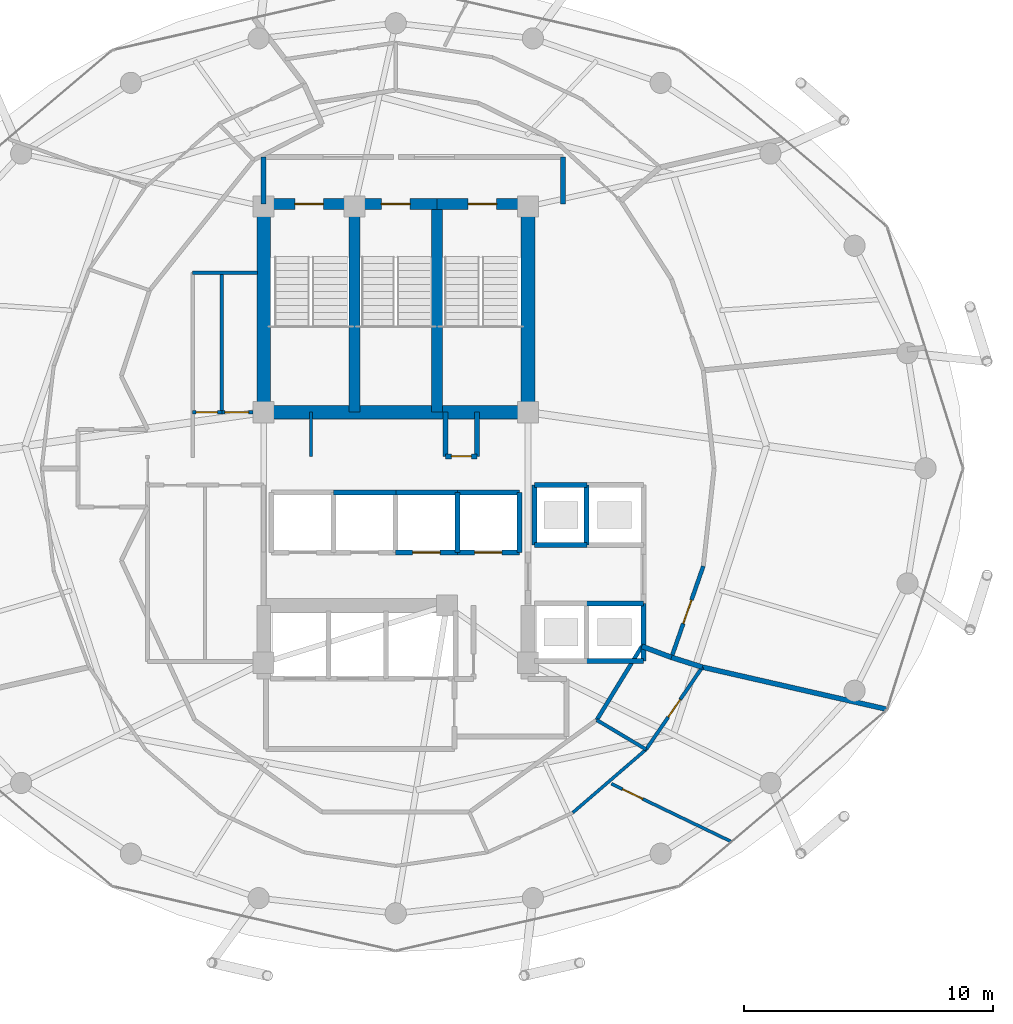
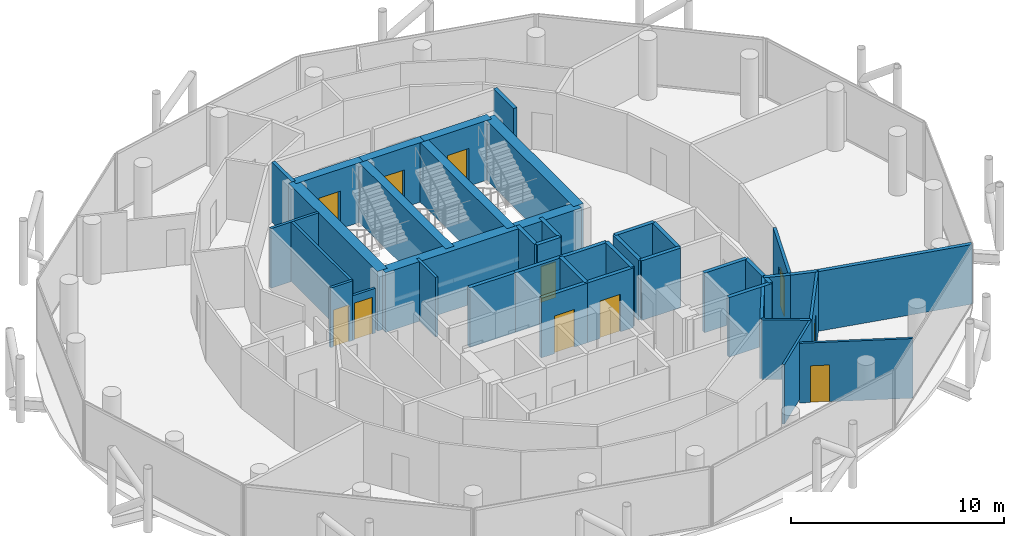
# One storey, part 24 of 27: 41 walls, 11 doors, 11 openings.
"""IFC4 building model written with IfcOpenShell, lengths in metres."""

from ifc_helpers import new_model, si_unit, direction, frame, frame_2d, origin, place, context, subcontext, project, spatial, rectangle, extrude, material, layer, layer_set, type_object, element, fill, save


model = new_model("IFC4")

# Units and contexts
model_context = context("Model", 3, precision=1e-05, world=origin(), true_north=direction((0.0, 1.0)))
body_context = subcontext(model_context, "Body", "Model", "MODEL_VIEW")
ifc_project = project(units=[si_unit("LENGTHUNIT", "METRE"), si_unit("AREAUNIT", "SQUARE_METRE"), si_unit("VOLUMEUNIT", "CUBIC_METRE"), si_unit("PLANEANGLEUNIT", "RADIAN"), si_unit("MASSUNIT", "GRAM", prefix="KILO")], contexts=[model_context])

# Site, building, storey
site_placement = place(None, origin())
site = spatial("IfcSite", under=ifc_project, at=site_placement, CompositionType="ELEMENT")
building_placement = place(site_placement, origin())
building = spatial("IfcBuilding", under=site, at=building_placement, Name="Nuhasar Tower", CompositionType="ELEMENT")
storey_placement = place(building_placement, frame((0.0, 0.0, 208.14990234375)))
storey = spatial("IfcBuildingStorey", under=building, at=storey_placement, Name="L50", CompositionType="ELEMENT", Elevation=208.14990234375)

# Wall, opening, door
ifc_material_1 = material(Name="Concrete C50/60", Category="concrete")
ifc_layer_1 = layer(ifc_material_1, 0.449951171875)
ifc_layer_set_1 = layer_set([ifc_layer_1], Name="Concrete C50/60")
wall_type_1 = type_object("IfcWallType", Name="WL-CORE-450", PredefinedType="SHEAR", material=ifc_layer_set_1)
wall_1_placement = place(storey_placement, frame((37.35009765625, 37.39990234375, 0.0), z_axis=(0.0, 0.0, 1.0), x_axis=(-1.0, 0.0, 0.0)))
wall_1 = element("IfcWall", 1, at=wall_1_placement, inside=storey, type_object=wall_type_1, Name="L50 Stairwell Shear Wall ST01-N", PredefinedType="SHEAR", context=body_context, shape_type="SweptSolid", body=[
    extrude(rectangle(XDim=3.650146484375, YDim=0.449951171875, at=frame_2d((1.8251953125, 0.0))), origin(), (0.0, 0.0, 1.0), 3.41015625),
])
opening_1_placement = place(wall_1_placement, frame((1.25, 0.0, 0.0)))
opening_1 = element("IfcOpeningElement", 2, at=opening_1_placement, cuts=wall_1, Name="Opening DS-01", PredefinedType="OPENING", context=body_context, shape_type="SweptSolid", body=[
    extrude(rectangle(XDim=1.14990234375, YDim=2.14990234375, at=frame_2d((0.574951171875, 1.074951171875))), frame((0.0, 0.23486328125, 0.0), z_axis=(0.0, -1.0, 0.0), x_axis=(1.0, 0.0, 0.0)), (0.0, 0.0, 1.0), 0.469970703125),
])
ifc_material_2 = material(Name="Steel S355", Category="steel")
door_type_1 = type_object("IfcDoorType", Name="DR-STAIR-FD120-1150", OperationType="NOTDEFINED", PredefinedType="DOOR", material=ifc_material_2)
door_1_placement = place(opening_1_placement, origin())
door_1 = element("IfcDoor", 3, at=door_1_placement, inside=storey, type_object=door_type_1, Name="L50 Exit Stair ST-01 Door", OperationType="SINGLE_SWING_RIGHT", OverallHeight=2.14990234375, OverallWidth=1.14990234375, PredefinedType="DOOR", context=body_context, shape_type="SweptSolid", body=[
    extrude(rectangle(XDim=1.14990234375, YDim=2.14990234375, at=frame_2d((0.574951171875, 1.074951171875))), frame((0.0, 0.02490234375, 0.0), z_axis=(0.0, -1.0, 0.0), x_axis=(1.0, 0.0, 0.0)), (0.0, 0.0, 1.0), 0.050048828125),
])
fill(opening_1, door_1)

# Wall
wall_2_placement = place(storey_placement, frame((37.35009765625, 29.050048828125, 0.0), z_axis=(0.0, 0.0, 1.0), x_axis=(0.0, 1.0, 0.0)))
element("IfcWall", 4, at=wall_2_placement, inside=storey, type_object=wall_type_1, Name="L50 Stairwell Shear Wall ST01-E", PredefinedType="SHEAR", context=body_context, shape_type="SweptSolid", body=[
    extrude(rectangle(XDim=8.349853515625, YDim=0.449951171875, at=frame_2d((4.1748046875, 0.0))), origin(), (0.0, 0.0, 1.0), 3.41015625),
])

# Wall, opening, door
wall_3_placement = place(storey_placement, frame((40.64990234375, 37.39990234375, 0.0), z_axis=(0.0, 0.0, 1.0), x_axis=(-1.0, 0.0, 0.0)))
wall_3 = element("IfcWall", 5, at=wall_3_placement, inside=storey, type_object=wall_type_1, Name="L50 Stairwell Shear Wall ST03-N", PredefinedType="SHEAR", context=body_context, shape_type="SweptSolid", body=[
    extrude(rectangle(XDim=3.2998046875, YDim=0.449951171875, at=frame_2d((1.64990234375, 0.0))), origin(), (0.0, 0.0, 1.0), 3.41015625),
])
opening_2_placement = place(wall_3_placement, frame((1.074951171875, 0.0, 0.0)))
opening_2 = element("IfcOpeningElement", 6, at=opening_2_placement, cuts=wall_3, Name="Opening DS-01", PredefinedType="OPENING", context=body_context, shape_type="SweptSolid", body=[
    extrude(rectangle(XDim=1.14990234375, YDim=2.14990234375, at=frame_2d((0.574951171875, 1.074951171875))), frame((0.0, 0.23486328125, 0.0), z_axis=(0.0, -1.0, 0.0), x_axis=(1.0, 0.0, 0.0)), (0.0, 0.0, 1.0), 0.469970703125),
])
door_2_placement = place(opening_2_placement, origin())
door_2 = element("IfcDoor", 7, at=door_2_placement, inside=storey, type_object=door_type_1, Name="L50 Exit Stair ST-03 Door", OperationType="SINGLE_SWING_RIGHT", OverallHeight=2.14990234375, OverallWidth=1.14990234375, PredefinedType="DOOR", context=body_context, shape_type="SweptSolid", body=[
    extrude(rectangle(XDim=1.14990234375, YDim=2.14990234375, at=frame_2d((0.574951171875, 1.074951171875))), frame((0.0, 0.02490234375, 0.0), z_axis=(0.0, -1.0, 0.0), x_axis=(1.0, 0.0, 0.0)), (0.0, 0.0, 1.0), 0.050048828125),
])
fill(opening_2, door_2)

# Wall
wall_4_placement = place(storey_placement, frame((40.64990234375, 29.050048828125, 0.0), z_axis=(0.0, 0.0, 1.0), x_axis=(0.0, 1.0, 0.0)))
element("IfcWall", 8, at=wall_4_placement, inside=storey, type_object=wall_type_1, Name="L50 Stairwell Shear Wall ST03-E", PredefinedType="SHEAR", context=body_context, shape_type="SweptSolid", body=[
    extrude(rectangle(XDim=8.349853515625, YDim=0.449951171875, at=frame_2d((4.1748046875, 0.0))), origin(), (0.0, 0.0, 1.0), 3.41015625),
])

# Wall, opening, door
wall_5_placement = place(storey_placement, frame((44.300048828125, 37.39990234375, 0.0), z_axis=(0.0, 0.0, 1.0), x_axis=(-1.0, 0.0, 0.0)))
wall_5 = element("IfcWall", 9, at=wall_5_placement, inside=storey, type_object=wall_type_1, Name="L50 Stairwell Shear Wall ST02-N", PredefinedType="SHEAR", context=body_context, shape_type="SweptSolid", body=[
    extrude(rectangle(XDim=3.650146484375, YDim=0.449951171875, at=frame_2d((1.8251953125, 0.0))), origin(), (0.0, 0.0, 1.0), 3.41015625),
])
opening_3_placement = place(wall_5_placement, frame((1.25, 0.0, 0.0)))
opening_3 = element("IfcOpeningElement", 10, at=opening_3_placement, cuts=wall_5, Name="Opening DS-01", PredefinedType="OPENING", context=body_context, shape_type="SweptSolid", body=[
    extrude(rectangle(XDim=1.14990234375, YDim=2.14990234375, at=frame_2d((0.574951171875, 1.074951171875))), frame((0.0, 0.23486328125, 0.0), z_axis=(0.0, -1.0, 0.0), x_axis=(1.0, 0.0, 0.0)), (0.0, 0.0, 1.0), 0.469970703125),
])
door_3_placement = place(opening_3_placement, origin())
door_3 = element("IfcDoor", 11, at=door_3_placement, inside=storey, type_object=door_type_1, Name="L50 Exit Stair ST-02 Door", OperationType="SINGLE_SWING_LEFT", OverallHeight=2.14990234375, OverallWidth=1.14990234375, PredefinedType="DOOR", context=body_context, shape_type="SweptSolid", body=[
    extrude(rectangle(XDim=1.14990234375, YDim=2.14990234375, at=frame_2d((0.574951171875, 1.074951171875))), frame((0.0, 0.02490234375, 0.0), z_axis=(0.0, -1.0, 0.0), x_axis=(1.0, 0.0, 0.0)), (0.0, 0.0, 1.0), 0.050048828125),
])
fill(opening_3, door_3)

# Walls
ifc_material_3 = material(Name="Concrete C55/67", Category="concrete")
ifc_layer_2 = layer(ifc_material_3, 0.550048828125)
ifc_layer_set_2 = layer_set([ifc_layer_2], Name="Concrete C55/67")
wall_type_2 = type_object("IfcWallType", Name="WL-CORE-550", PredefinedType="SHEAR", material=ifc_layer_set_2)
for number, where, z_axis, x_axis, name in (
    (12, (33.699951171875, 29.050048828125, 0.0), (0.0, 0.0, 1.0), (0.0, 1.0, 0.0), "L50 Core Shear Wall CW-NW CW-550"),
    (13, (44.300048828125, 29.050048828125, 0.0), (0.0, 0.0, 1.0), (0.0, 1.0, 0.0), "L50 Core Shear Wall CW-NE CW-550"),
):
    element("IfcWall", number, at=place(storey_placement, frame(where, z_axis=z_axis, x_axis=x_axis)), inside=storey, type_object=wall_type_2, Name=name, PredefinedType="SHEAR", context=body_context, shape_type="SweptSolid", body=[
        extrude(rectangle(XDim=8.349853515625, YDim=0.550048828125, at=frame_2d((4.1748046875, 0.0))), origin(), (0.0, 0.0, 1.0), 3.41015625),
    ])
wall_6_placement = place(storey_placement, frame((33.699951171875, 29.050048828125, 0.0), z_axis=(0.0, 0.0, 1.0), x_axis=(1.0, 0.0, 0.0)))
element("IfcWall", 14, at=wall_6_placement, inside=storey, type_object=wall_type_2, Name="L50 Core Shear Wall CW-N1 CW-550", PredefinedType="SHEAR", context=body_context, shape_type="SweptSolid", body=[
    extrude(rectangle(XDim=10.60009765625, YDim=0.550048828125, at=frame_2d((5.300048828125, 0.0))), origin(), (0.0, 0.0, 1.0), 3.41015625),
])

# Wall, opening, door
ifc_material_4 = material(Name="Gypsum Board", Category="gypsum")
ifc_layer_3 = layer(ifc_material_4, 0.159912109375)
ifc_layer_set_3 = layer_set([ifc_layer_3], Name="Gypsum Board")
wall_type_3 = type_object("IfcWallType", Name="WL-CORR-160", PredefinedType="PARTITIONING", material=ifc_layer_set_3)
wall_7_placement = place(storey_placement, frame((51.3349609375, 22.8740234375, 0.0), z_axis=(0.0, 0.0, 1.0), x_axis=(-0.32925850992, -0.944239817867, 0.0)))
wall_7 = element("IfcWall", 15, at=wall_7_placement, inside=storey, type_object=wall_type_3, Name="L50 Interior Partition CORR-44", PredefinedType="PARTITIONING", context=body_context, shape_type="SweptSolid", body=[
    extrude(rectangle(XDim=3.875, YDim=0.159912109375, at=frame_2d((1.9375, 0.0))), origin(), (0.0, 0.0, 1.0), 3.41015625),
])
opening_4_placement = place(wall_7_placement, frame((1.43798828125, 0.0, 0.0)))
opening_4 = element("IfcOpeningElement", 16, at=opening_4_placement, cuts=wall_7, Name="Opening DU-02", PredefinedType="OPENING", context=body_context, shape_type="SweptSolid", body=[
    extrude(rectangle(XDim=1.0, YDim=2.14990234375, at=frame_2d((0.5, 1.074951171875))), frame((0.0, 0.08984375, 0.0), z_axis=(0.0, -1.0, 0.0), x_axis=(1.0, 0.0, 0.0)), (0.0, 0.0, 1.0), 0.179931640625),
])
ifc_material_5 = material(Name="Timber Oak", Category="wood")
door_type_2 = type_object("IfcDoorType", Name="DR-FLAT-FD60-1000", OperationType="NOTDEFINED", PredefinedType="DOOR", material=ifc_material_5)
door_4_placement = place(opening_4_placement, origin())
door_4 = element("IfcDoor", 17, at=door_4_placement, inside=storey, type_object=door_type_2, Name="L50 Sky Fitness Gym Entrance Door", OperationType="SINGLE_SWING_LEFT", OverallHeight=2.14990234375, OverallWidth=1.0, PredefinedType="DOOR", context=body_context, shape_type="SweptSolid", body=[
    extrude(rectangle(XDim=1.0, YDim=2.14990234375, at=frame_2d((0.5, 1.074951171875))), frame((0.0, 0.02490234375, 0.0), z_axis=(0.0, -1.0, 0.0), x_axis=(1.0, 0.0, 0.0)), (0.0, 0.0, 1.0), 0.050048828125),
])
fill(opening_4, door_4)

# Walls
wall_8_placement = place(storey_placement, frame((47.06103515625, 16.702880859375, 0.0), z_axis=(0.0, 0.0, 1.0), x_axis=(0.522486120877, 0.852647789823, 0.0)))
element("IfcWall", 18, at=wall_8_placement, inside=storey, type_object=wall_type_3, Name="L50 Interior Partition UWEST-CORE-S2-42", PredefinedType="PARTITIONING", context=body_context, shape_type="SweptSolid", body=[
    extrude(rectangle(XDim=3.468017578125, YDim=0.159912109375, at=frame_2d((1.73388671875, 0.0))), origin(), (0.0, 0.0, 1.0), 3.41015625),
])
ifc_material_6 = material(Name="Concrete C45/55", Category="concrete")
ifc_layer_4 = layer(ifc_material_6, 0.199951171875)
ifc_layer_set_4 = layer_set([ifc_layer_4], Name="Concrete C45/55")
wall_type_4 = type_object("IfcWallType", Name="WL-LOBBY-200", PredefinedType="SOLIDWALL", material=ifc_layer_set_4)
for number, where, z_axis, x_axis, name in (
    (19, (33.699951171875, 37.39990234375, 0.0), (0.0, 0.0, 1.0), (0.0, 1.0, 0.0), "L50 Interior Partition NSL-W"),
    (20, (45.699951171875, 37.39990234375, 0.0), (0.0, 0.0, 1.0), (0.0, 1.0, 0.0), "L50 Interior Partition NSL-E"),
):
    element("IfcWall", number, at=place(storey_placement, frame(where, z_axis=z_axis, x_axis=x_axis)), inside=storey, type_object=wall_type_4, Name=name, PredefinedType="SOLIDWALL", context=body_context, shape_type="SweptSolid", body=[
        extrude(rectangle(XDim=1.880126953125, YDim=0.199951171875, at=frame_2d((0.93994140625, 0.0))), origin(), (0.0, 0.0, 1.0), 3.41015625),
    ])
ifc_layer_5 = layer(ifc_material_4, 0.125)
ifc_layer_set_5 = layer_set([ifc_layer_5], Name="Gypsum Board")
wall_type_5 = type_object("IfcWallType", Name="WL-PART-125", PredefinedType="PARTITIONING", material=ifc_layer_set_5)
wall_9_placement = place(storey_placement, frame((46.10009765625, 12.987060546875, 0.0), z_axis=(0.0, 0.0, 1.0), x_axis=(0.757456069071, 0.652886133585, 0.0)))
element("IfcWall", 21, at=wall_9_placement, inside=storey, type_object=wall_type_5, Name="L50 Interior Partition USM-2-K-40", PredefinedType="PARTITIONING", context=body_context, shape_type="SweptSolid", body=[
    extrude(rectangle(XDim=3.882568359375, YDim=0.125, at=frame_2d((1.94140625, 0.0))), origin(), (0.0, 0.0, 1.0), 3.41015625),
])

# Wall, opening, door
wall_10_placement = place(storey_placement, frame((47.64404296875, 14.14599609375, 0.0), z_axis=(0.0, 0.0, 1.0), x_axis=(0.900716165112, -0.434408091437, 0.0)))
wall_10 = element("IfcWall", 22, at=wall_10_placement, inside=storey, type_object=wall_type_5, Name="L50 Interior Partition USO-2-BD", PredefinedType="PARTITIONING", context=body_context, shape_type="SweptSolid", body=[
    extrude(rectangle(XDim=5.32666015625, YDim=0.125, at=frame_2d((2.663330078125, 0.0))), origin(), (0.0, 0.0, 1.0), 3.41015625),
])
opening_5_placement = place(wall_10_placement, frame((0.501953125, 0.0, 0.0)))
opening_5 = element("IfcOpeningElement", 23, at=opening_5_placement, cuts=wall_10, Name="Opening DR-01", PredefinedType="OPENING", context=body_context, shape_type="SweptSolid", body=[
    extrude(rectangle(XDim=0.89990234375, YDim=2.10009765625, at=frame_2d((0.449951171875, 1.050048828125))), frame((0.0, 0.072509765625, 0.0), z_axis=(0.0, -1.0, 0.0), x_axis=(1.0, 0.0, 0.0)), (0.0, 0.0, 1.0), 0.14501953125),
])
door_type_3 = type_object("IfcDoorType", Name="DR-ROOM-900", OperationType="NOTDEFINED", PredefinedType="DOOR", material=ifc_material_5)
door_5_placement = place(opening_5_placement, origin())
door_5 = element("IfcDoor", 24, at=door_5_placement, inside=storey, type_object=door_type_3, Name="L50 South-West Sky Home Master Bedroom Door", OperationType="SINGLE_SWING_LEFT", OverallHeight=2.10009765625, OverallWidth=0.89990234375, PredefinedType="DOOR", context=body_context, shape_type="SweptSolid", body=[
    extrude(rectangle(XDim=0.89990234375, YDim=2.10009765625, at=frame_2d((0.449951171875, 1.050048828125))), frame((0.0, 0.02490234375, 0.0), z_axis=(0.0, -1.0, 0.0), x_axis=(1.0, 0.0, 0.0)), (0.0, 0.0, 1.0), 0.050048828125),
])
fill(opening_5, door_5)

# Walls
ifc_layer_6 = layer(ifc_material_6, 0.199951171875)
ifc_layer_set_6 = layer_set([ifc_layer_6], Name="Concrete C45/55")
wall_type_6 = type_object("IfcWallType", Name="WL-SHAFT-200", PredefinedType="SOLIDWALL", material=ifc_layer_set_6)
for number, where, z_axis, x_axis, name in (
    (25, (41.0, 27.280029296875, 0.0), (0.0, 0.0, 1.0), (0.0, 1.0, 0.0), "L50 Interior Partition RSRN-W"),
    (26, (42.260009765625, 27.280029296875, 0.0), (0.0, 0.0, 1.0), (0.0, 1.0, 0.0), "L50 Interior Partition RSRN-E"),
):
    element("IfcWall", number, at=place(storey_placement, frame(where, z_axis=z_axis, x_axis=x_axis)), inside=storey, type_object=wall_type_6, Name=name, PredefinedType="SOLIDWALL", context=body_context, shape_type="SweptSolid", body=[
        extrude(rectangle(XDim=1.77001953125, YDim=0.199951171875, at=frame_2d((0.885009765625, 0.0))), origin(), (0.0, 0.0, 1.0), 3.41015625),
    ])

# Wall, opening, door
wall_11_placement = place(storey_placement, frame((41.0, 27.280029296875, 0.0), z_axis=(0.0, 0.0, 1.0), x_axis=(1.0, 0.0, 0.0)))
wall_11 = element("IfcWall", 27, at=wall_11_placement, inside=storey, type_object=wall_type_6, Name="L50 Interior Partition RSRN-S", PredefinedType="SOLIDWALL", context=body_context, shape_type="SweptSolid", body=[
    extrude(rectangle(XDim=1.260009765625, YDim=0.199951171875, at=frame_2d((0.6298828125, 0.0))), origin(), (0.0, 0.0, 1.0), 3.41015625),
])
opening_6_placement = place(wall_11_placement, frame((0.22998046875, 0.0, 0.0)))
opening_6 = element("IfcOpeningElement", 28, at=opening_6_placement, cuts=wall_11, Name="Opening DM-01", PredefinedType="OPENING", context=body_context, shape_type="SweptSolid", body=[
    extrude(rectangle(XDim=0.800048828125, YDim=2.050048828125, at=frame_2d((0.39990234375, 1.02490234375))), frame((0.0, 0.10986328125, 0.0), z_axis=(0.0, -1.0, 0.0), x_axis=(1.0, 0.0, 0.0)), (0.0, 0.0, 1.0), 0.219970703125),
])
door_type_4 = type_object("IfcDoorType", Name="DR-RISER-FD60-800", OperationType="NOTDEFINED", PredefinedType="DOOR", material=ifc_material_2)
door_6_placement = place(opening_6_placement, origin())
door_6 = element("IfcDoor", 29, at=door_6_placement, inside=storey, type_object=door_type_4, Name="L50 North Smoke Riser Door", OperationType="SINGLE_SWING_RIGHT", OverallHeight=2.050048828125, OverallWidth=0.800048828125, PredefinedType="DOOR", context=body_context, shape_type="SweptSolid", body=[
    extrude(rectangle(XDim=0.800048828125, YDim=2.050048828125, at=frame_2d((0.39990234375, 1.02490234375))), frame((0.0, 0.02490234375, 0.0), z_axis=(0.0, -1.0, 0.0), x_axis=(1.0, 0.0, 0.0)), (0.0, 0.0, 1.0), 0.050048828125),
])
fill(opening_6, door_6)

# Walls
for number, where, z_axis, x_axis, name in (
    (30, (44.570068359375, 23.719970703125, 0.0), (0.0, 0.0, 1.0), (1.0, 0.0, 0.0), "L50 Interior Partition SHF-PL-M01-S"),
    (31, (44.570068359375, 26.1298828125, 0.0), (0.0, 0.0, 1.0), (1.0, 0.0, 0.0), "L50 Interior Partition SHF-PL-M01-N"),
):
    element("IfcWall", number, at=place(storey_placement, frame(where, z_axis=z_axis, x_axis=x_axis)), inside=storey, type_object=wall_type_6, Name=name, PredefinedType="SOLIDWALL", context=body_context, shape_type="SweptSolid", body=[
        extrude(rectangle(XDim=2.10986328125, YDim=0.199951171875, at=frame_2d((1.054931640625, 0.0))), origin(), (0.0, 0.0, 1.0), 3.41015625),
    ])
for number, where, z_axis, x_axis, name in (
    (32, (44.570068359375, 23.719970703125, 0.0), (0.0, 0.0, 1.0), (0.0, 1.0, 0.0), "L50 Interior Partition SHF-PL-M01-W"),
    (33, (46.64990234375, 23.719970703125, 0.0), (0.0, 0.0, 1.0), (0.0, 1.0, 0.0), "L50 Interior Partition SHF-PL-M01-E"),
):
    element("IfcWall", number, at=place(storey_placement, frame(where, z_axis=z_axis, x_axis=x_axis)), inside=storey, type_object=wall_type_6, Name=name, PredefinedType="SOLIDWALL", context=body_context, shape_type="SweptSolid", body=[
        extrude(rectangle(XDim=2.409912109375, YDim=0.199951171875, at=frame_2d((1.205078125, 0.0))), origin(), (0.0, 0.0, 1.0), 3.41015625),
    ])
for number, where, z_axis, x_axis, name in (
    (34, (46.6201171875, 19.070068359375, 0.0), (0.0, 0.0, 1.0), (1.0, 0.0, 0.0), "L50 Interior Partition SHF-PL-M04-S"),
    (35, (46.6201171875, 21.3798828125, 0.0), (0.0, 0.0, 1.0), (1.0, 0.0, 0.0), "L50 Interior Partition SHF-PL-M04-N"),
    (36, (48.929931640625, 19.070068359375, 0.0), (0.0, 0.0, 1.0), (0.0, 1.0, 0.0), "L50 Interior Partition SHF-PL-M04-E"),
):
    element("IfcWall", number, at=place(storey_placement, frame(where, z_axis=z_axis, x_axis=x_axis)), inside=storey, type_object=wall_type_6, Name=name, PredefinedType="SOLIDWALL", context=body_context, shape_type="SweptSolid", body=[
        extrude(rectangle(XDim=2.309814453125, YDim=0.199951171875, at=frame_2d((1.15478515625, 0.0))), origin(), (0.0, 0.0, 1.0), 3.41015625),
    ])
wall_12_placement = place(storey_placement, frame((36.5, 25.830078125, 0.0), z_axis=(0.0, 0.0, 1.0), x_axis=(1.0, 0.0, 0.0)))
element("IfcWall", 37, at=wall_12_placement, inside=storey, type_object=wall_type_6, Name="L50 Interior Partition SHF-PL-H02-N", PredefinedType="SOLIDWALL", context=body_context, shape_type="SweptSolid", body=[
    extrude(rectangle(XDim=2.5, YDim=0.199951171875, at=frame_2d((1.25, 0.0))), origin(), (0.0, 0.0, 1.0), 3.41015625),
])

# Wall, opening, door
wall_13_placement = place(storey_placement, frame((38.97998046875, 23.419921875, 0.0), z_axis=(0.0, 0.0, 1.0), x_axis=(1.0, 0.0, 0.0)))
wall_13 = element("IfcWall", 38, at=wall_13_placement, inside=storey, type_object=wall_type_6, Name="L50 Interior Partition SHF-PL-H03-S", PredefinedType="SOLIDWALL", context=body_context, shape_type="SweptSolid", body=[
    extrude(rectangle(XDim=2.5, YDim=0.199951171875, at=frame_2d((1.25, 0.0))), origin(), (0.0, 0.0, 1.0), 3.41015625),
])
opening_7_placement = place(wall_13_placement, frame((0.699951171875, 0.0, 0.0)))
opening_7 = element("IfcOpeningElement", 39, at=opening_7_placement, cuts=wall_13, Name="Opening LD-H03", PredefinedType="OPENING", context=body_context, shape_type="SweptSolid", body=[
    extrude(rectangle(XDim=1.10009765625, YDim=2.14990234375, at=frame_2d((0.550048828125, 1.074951171875))), frame((0.0, 0.10986328125, 0.0), z_axis=(0.0, -1.0, 0.0), x_axis=(1.0, 0.0, 0.0)), (0.0, 0.0, 1.0), 0.219970703125),
])
ifc_material_7 = material(Name="Stainless Steel 316L", Category="steel")
door_type_5 = type_object("IfcDoorType", Name="LD-PAX-1100", OperationType="DOUBLE_DOOR_SLIDING", PredefinedType="DOOR", material=ifc_material_7)
door_7_placement = place(opening_7_placement, origin())
door_7 = element("IfcDoor", 40, at=door_7_placement, inside=storey, type_object=door_type_5, Name="L50 Lift Landing Door PL-H03", OperationType="DOUBLE_DOOR_SLIDING", OverallHeight=2.14990234375, OverallWidth=1.10009765625, PredefinedType="DOOR", context=body_context, shape_type="SweptSolid", body=[
    extrude(rectangle(XDim=1.10009765625, YDim=2.14990234375, at=frame_2d((0.550048828125, 1.074951171875))), frame((0.0, 0.02490234375, 0.0), z_axis=(0.0, -1.0, 0.0), x_axis=(1.0, 0.0, 0.0)), (0.0, 0.0, 1.0), 0.050048828125),
])
fill(opening_7, door_7)

# Walls
wall_14_placement = place(storey_placement, frame((38.97998046875, 25.830078125, 0.0), z_axis=(0.0, 0.0, 1.0), x_axis=(1.0, 0.0, 0.0)))
element("IfcWall", 41, at=wall_14_placement, inside=storey, type_object=wall_type_6, Name="L50 Interior Partition SHF-PL-H03-N", PredefinedType="SOLIDWALL", context=body_context, shape_type="SweptSolid", body=[
    extrude(rectangle(XDim=2.5, YDim=0.199951171875, at=frame_2d((1.25, 0.0))), origin(), (0.0, 0.0, 1.0), 3.41015625),
])
wall_15_placement = place(storey_placement, frame((41.469970703125, 23.419921875, 0.0), z_axis=(0.0, 0.0, 1.0), x_axis=(0.0, 1.0, 0.0)))
element("IfcWall", 42, at=wall_15_placement, inside=storey, type_object=wall_type_6, Name="L50 Interior Partition SHF-PL-H03-E", PredefinedType="SOLIDWALL", context=body_context, shape_type="SweptSolid", body=[
    extrude(rectangle(XDim=2.41015625, YDim=0.199951171875, at=frame_2d((1.205078125, 0.0))), origin(), (0.0, 0.0, 1.0), 3.41015625),
])

# Wall, opening, door
wall_16_placement = place(storey_placement, frame((41.4599609375, 23.419921875, 0.0), z_axis=(0.0, 0.0, 1.0), x_axis=(1.0, 0.0, 0.0)))
wall_16 = element("IfcWall", 43, at=wall_16_placement, inside=storey, type_object=wall_type_6, Name="L50 Interior Partition SHF-PL-H04-S", PredefinedType="SOLIDWALL", context=body_context, shape_type="SweptSolid", body=[
    extrude(rectangle(XDim=2.5, YDim=0.199951171875, at=frame_2d((1.25, 0.0))), origin(), (0.0, 0.0, 1.0), 3.41015625),
])
opening_8_placement = place(wall_16_placement, frame((0.699951171875, 0.0, 0.0)))
opening_8 = element("IfcOpeningElement", 44, at=opening_8_placement, cuts=wall_16, Name="Opening LD-H04", PredefinedType="OPENING", context=body_context, shape_type="SweptSolid", body=[
    extrude(rectangle(XDim=1.10009765625, YDim=2.14990234375, at=frame_2d((0.550048828125, 1.074951171875))), frame((0.0, 0.10986328125, 0.0), z_axis=(0.0, -1.0, 0.0), x_axis=(1.0, 0.0, 0.0)), (0.0, 0.0, 1.0), 0.219970703125),
])
door_8_placement = place(opening_8_placement, origin())
door_8 = element("IfcDoor", 45, at=door_8_placement, inside=storey, type_object=door_type_5, Name="L50 Lift Landing Door PL-H04", OperationType="DOUBLE_DOOR_SLIDING", OverallHeight=2.14990234375, OverallWidth=1.10009765625, PredefinedType="DOOR", context=body_context, shape_type="SweptSolid", body=[
    extrude(rectangle(XDim=1.10009765625, YDim=2.14990234375, at=frame_2d((0.550048828125, 1.074951171875))), frame((0.0, 0.02490234375, 0.0), z_axis=(0.0, -1.0, 0.0), x_axis=(1.0, 0.0, 0.0)), (0.0, 0.0, 1.0), 0.050048828125),
])
fill(opening_8, door_8)

# Walls
wall_17_placement = place(storey_placement, frame((41.4599609375, 25.830078125, 0.0), z_axis=(0.0, 0.0, 1.0), x_axis=(1.0, 0.0, 0.0)))
element("IfcWall", 46, at=wall_17_placement, inside=storey, type_object=wall_type_6, Name="L50 Interior Partition SHF-PL-H04-N", PredefinedType="SOLIDWALL", context=body_context, shape_type="SweptSolid", body=[
    extrude(rectangle(XDim=2.5, YDim=0.199951171875, at=frame_2d((1.25, 0.0))), origin(), (0.0, 0.0, 1.0), 3.41015625),
])
wall_18_placement = place(storey_placement, frame((43.9599609375, 23.419921875, 0.0), z_axis=(0.0, 0.0, 1.0), x_axis=(0.0, 1.0, 0.0)))
element("IfcWall", 47, at=wall_18_placement, inside=storey, type_object=wall_type_6, Name="L50 Interior Partition SHF-PL-H04-E", PredefinedType="SOLIDWALL", context=body_context, shape_type="SweptSolid", body=[
    extrude(rectangle(XDim=2.41015625, YDim=0.199951171875, at=frame_2d((1.205078125, 0.0))), origin(), (0.0, 0.0, 1.0), 3.41015625),
])
ifc_material_8 = material(Name="Concrete C40/50 precast", Category="concrete")
ifc_layer_7 = layer(ifc_material_8, 0.199951171875)
ifc_layer_set_7 = layer_set([ifc_layer_7], Name="Concrete C40/50 precast")
wall_type_7 = type_object("IfcWallType", Name="WL-UNIT-200", PredefinedType="PARTITIONING", material=ifc_layer_set_7)
wall_19_placement = place(storey_placement, frame((48.873046875, 19.659912109375, 0.0), z_axis=(0.0, 0.0, 1.0), x_axis=(0.93631333527, -0.351165684821, 0.0)))
element("IfcWall", 48, at=wall_19_placement, inside=storey, type_object=wall_type_7, Name="L50 Interior Partition URAD-44-SW-S1", PredefinedType="PARTITIONING", context=body_context, shape_type="SweptSolid", body=[
    extrude(rectangle(XDim=1.2666015625, YDim=0.199951171875, at=frame_2d((0.63330078125, 0.0))), origin(), (0.0, 0.0, 1.0), 3.41015625),
])
wall_20_placement = place(storey_placement, frame((50.05908203125, 19.215087890625, 0.0), z_axis=(0.0, 0.0, 1.0), x_axis=(0.953832301714, -0.300339708008, 0.0)))
element("IfcWall", 49, at=wall_20_placement, inside=storey, type_object=wall_type_7, Name="L50 Interior Partition URAD-44-SW-S2", PredefinedType="PARTITIONING", context=body_context, shape_type="SweptSolid", body=[
    extrude(rectangle(XDim=1.299072265625, YDim=0.199951171875, at=frame_2d((0.6494140625, 0.0))), origin(), (0.0, 0.0, 1.0), 3.41015625),
])
wall_21_placement = place(storey_placement, frame((51.298095703125, 18.824951171875, 0.0), z_axis=(0.0, 0.0, 1.0), x_axis=(0.97483809237, -0.222914094809, 0.0)))
element("IfcWall", 50, at=wall_21_placement, inside=storey, type_object=wall_type_7, Name="L50 Interior Partition URAD-44-SW-S3", PredefinedType="PARTITIONING", context=body_context, shape_type="SweptSolid", body=[
    extrude(rectangle(XDim=7.572265625, YDim=0.199951171875, at=frame_2d((3.7861328125, 0.0))), origin(), (0.0, 0.0, 1.0), 3.41015625),
])
ifc_layer_8 = layer(ifc_material_8, 0.139892578125)
ifc_layer_set_8 = layer_set([ifc_layer_8], Name="Concrete C40/50 precast")
wall_type_8 = type_object("IfcWallType", Name="WL-WET-140", PredefinedType="PARTITIONING", material=ifc_layer_set_8)
wall_22_placement = place(storey_placement, frame((35.60009765625, 27.280029296875, 0.0), z_axis=(0.0, 0.0, 1.0), x_axis=(0.0, 1.0, 0.0)))
element("IfcWall", 51, at=wall_22_placement, inside=storey, type_object=wall_type_8, Name="L50 Interior Partition CSVC-W", PredefinedType="PARTITIONING", context=body_context, shape_type="SweptSolid", body=[
    extrude(rectangle(XDim=1.77001953125, YDim=0.139892578125, at=frame_2d((0.885009765625, 0.0))), origin(), (0.0, 0.0, 1.0), 3.41015625),
])

# Wall, opening, door
wall_23_placement = place(storey_placement, frame((30.85009765625, 29.050048828125, 0.0), z_axis=(0.0, 0.0, 1.0), x_axis=(1.0, 0.0, 0.0)))
wall_23 = element("IfcWall", 52, at=wall_23_placement, inside=storey, type_object=wall_type_8, Name="L50 Interior Partition K2-NW-S", PredefinedType="PARTITIONING", context=body_context, shape_type="SweptSolid", body=[
    extrude(rectangle(XDim=1.179931640625, YDim=0.139892578125, at=frame_2d((0.58984375, 0.0))), origin(), (0.0, 0.0, 1.0), 3.41015625),
])
opening_9_placement = place(wall_23_placement, frame((0.139892578125, 0.0, 0.0)))
opening_9 = element("IfcOpeningElement", 53, at=opening_9_placement, cuts=wall_23, Name="Opening DB-01", PredefinedType="OPENING", context=body_context, shape_type="SweptSolid", body=[
    extrude(rectangle(XDim=0.85009765625, YDim=2.10009765625, at=frame_2d((0.425048828125, 1.050048828125))), frame((0.0, 0.080078125, 0.0), z_axis=(0.0, -1.0, 0.0), x_axis=(1.0, 0.0, 0.0)), (0.0, 0.0, 1.0), 0.159912109375),
])
door_type_6 = type_object("IfcDoorType", Name="DR-BATH-850", OperationType="NOTDEFINED", PredefinedType="DOOR", material=ifc_material_5)
door_9_placement = place(opening_9_placement, origin())
door_9 = element("IfcDoor", 54, at=door_9_placement, inside=storey, type_object=door_type_6, Name="L50 NW Female WC Door", OperationType="SINGLE_SWING_LEFT", OverallHeight=2.10009765625, OverallWidth=0.85009765625, PredefinedType="DOOR", context=body_context, shape_type="SweptSolid", body=[
    extrude(rectangle(XDim=0.85009765625, YDim=2.10009765625, at=frame_2d((0.425048828125, 1.050048828125))), frame((0.0, 0.02490234375, 0.0), z_axis=(0.0, -1.0, 0.0), x_axis=(1.0, 0.0, 0.0)), (0.0, 0.0, 1.0), 0.050048828125),
])
fill(opening_9, door_9)

wall_24_placement = place(storey_placement, frame((32.030029296875, 29.050048828125, 0.0), z_axis=(0.0, 0.0, 1.0), x_axis=(1.0, 0.0, 0.0)))
wall_24 = element("IfcWall", 55, at=wall_24_placement, inside=storey, type_object=wall_type_8, Name="L50 Interior Partition K2-NW-S", PredefinedType="PARTITIONING", context=body_context, shape_type="SweptSolid", body=[
    extrude(rectangle(XDim=1.25, YDim=0.139892578125, at=frame_2d((0.625, 0.0))), origin(), (0.0, 0.0, 1.0), 2.550048828125),
])
opening_10_placement = place(wall_24_placement, frame((0.1201171875, 0.0, 0.0)))
opening_10 = element("IfcOpeningElement", 56, at=opening_10_placement, cuts=wall_24, Name="Opening DA-01", PredefinedType="OPENING", context=body_context, shape_type="SweptSolid", body=[
    extrude(rectangle(XDim=0.949951171875, YDim=2.10009765625, at=frame_2d((0.47509765625, 1.050048828125))), frame((0.0, 0.080078125, 0.0), z_axis=(0.0, -1.0, 0.0), x_axis=(1.0, 0.0, 0.0)), (0.0, 0.0, 1.0), 0.159912109375),
])
door_type_7 = type_object("IfcDoorType", Name="DR-ACCWC-950", OperationType="NOTDEFINED", PredefinedType="DOOR", material=ifc_material_5)
door_10_placement = place(opening_10_placement, origin())
door_10 = element("IfcDoor", 57, at=door_10_placement, inside=storey, type_object=door_type_7, Name="L50 NW Accessible WC Door", OperationType="SINGLE_SWING_RIGHT", OverallHeight=2.10009765625, OverallWidth=0.949951171875, PredefinedType="DOOR", context=body_context, shape_type="SweptSolid", body=[
    extrude(rectangle(XDim=0.949951171875, YDim=2.10009765625, at=frame_2d((0.47509765625, 1.050048828125))), frame((0.0, 0.02490234375, 0.0), z_axis=(0.0, -1.0, 0.0), x_axis=(1.0, 0.0, 0.0)), (0.0, 0.0, 1.0), 0.050048828125),
])
fill(opening_10, door_10)

# Walls
wall_25_placement = place(storey_placement, frame((32.02001953125, 29.050048828125, 0.0), z_axis=(0.0, 0.0, 1.0), x_axis=(0.0, 1.0, 0.0)))
element("IfcWall", 58, at=wall_25_placement, inside=storey, type_object=wall_type_8, Name="L50 Interior Partition K2-NW-V", PredefinedType="PARTITIONING", context=body_context, shape_type="SweptSolid", body=[
    extrude(rectangle(XDim=5.599853515625, YDim=0.139892578125, at=frame_2d((2.7998046875, 0.0))), origin(), (0.0, 0.0, 1.0), 3.41015625),
])
wall_26_placement = place(storey_placement, frame((30.85009765625, 34.64990234375, 0.0), z_axis=(0.0, 0.0, 1.0), x_axis=(1.0, 0.0, 0.0)))
element("IfcWall", 59, at=wall_26_placement, inside=storey, type_object=wall_type_8, Name="L50 Interior Partition K2-NW-N", PredefinedType="PARTITIONING", context=body_context, shape_type="SweptSolid", body=[
    extrude(rectangle(XDim=2.599853515625, YDim=0.139892578125, at=frame_2d((1.2998046875, 0.0))), origin(), (0.0, 0.0, 1.0), 3.41015625),
])

# Wall, opening, door
wall_27_placement = place(storey_placement, frame((51.298095703125, 18.824951171875, 0.0), z_axis=(0.0, 0.0, 1.0), x_axis=(-0.56419813198, -0.825639429697, 0.0)))
wall_27 = element("IfcWall", 60, at=wall_27_placement, inside=storey, type_object=wall_type_8, Name="L50 Interior Partition USM-2-B-42", PredefinedType="PARTITIONING", context=body_context, shape_type="SweptSolid", body=[
    extrude(rectangle(XDim=4.00048828125, YDim=0.139892578125, at=frame_2d((2.000244140625, 0.0))), origin(), (0.0, 0.0, 1.0), 3.41015625),
])
opening_11_placement = place(wall_27_placement, frame((1.574951171875, 0.0, 0.0)))
opening_11 = element("IfcOpeningElement", 61, at=opening_11_placement, cuts=wall_27, Name="Opening DB-01", PredefinedType="OPENING", context=body_context, shape_type="SweptSolid", body=[
    extrude(rectangle(XDim=0.85009765625, YDim=2.10009765625, at=frame_2d((0.425048828125, 1.050048828125))), frame((0.0, 0.080078125, 0.0), z_axis=(0.0, -1.0, 0.0), x_axis=(1.0, 0.0, 0.0)), (0.0, 0.0, 1.0), 0.159912109375),
])
door_11_placement = place(opening_11_placement, origin())
door_11 = element("IfcDoor", 62, at=door_11_placement, inside=storey, type_object=door_type_6, Name="L50 South-West Sky Home En-Suite Door", OperationType="SINGLE_SWING_LEFT", OverallHeight=2.10009765625, OverallWidth=0.85009765625, PredefinedType="DOOR", context=body_context, shape_type="SweptSolid", body=[
    extrude(rectangle(XDim=0.85009765625, YDim=2.10009765625, at=frame_2d((0.425048828125, 1.050048828125))), frame((0.0, 0.02490234375, 0.0), z_axis=(0.0, -1.0, 0.0), x_axis=(1.0, 0.0, 0.0)), (0.0, 0.0, 1.0), 0.050048828125),
])
fill(opening_11, door_11)

# Wall
wall_28_placement = place(storey_placement, frame((47.06103515625, 16.702880859375, 0.0), z_axis=(0.0, 0.0, 1.0), x_axis=(0.858844842863, -0.512235820583, 0.0)))
element("IfcWall", 63, at=wall_28_placement, inside=storey, type_object=wall_type_8, Name="L50 Interior Partition USI-2-KB", PredefinedType="PARTITIONING", context=body_context, shape_type="SweptSolid", body=[
    extrude(rectangle(XDim=2.305419921875, YDim=0.139892578125, at=frame_2d((1.15283203125, 0.0))), origin(), (0.0, 0.0, 1.0), 3.41015625),
])

save(model, "model.ifc")
